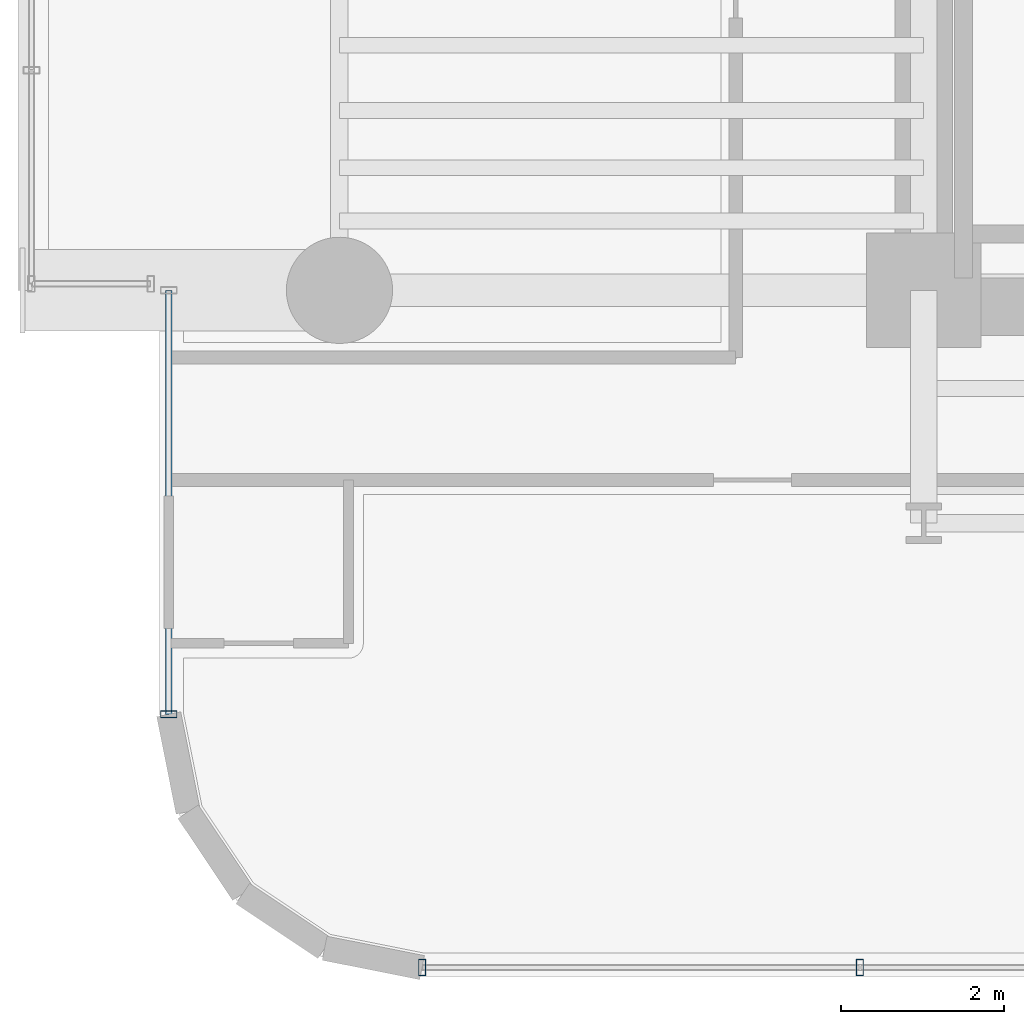
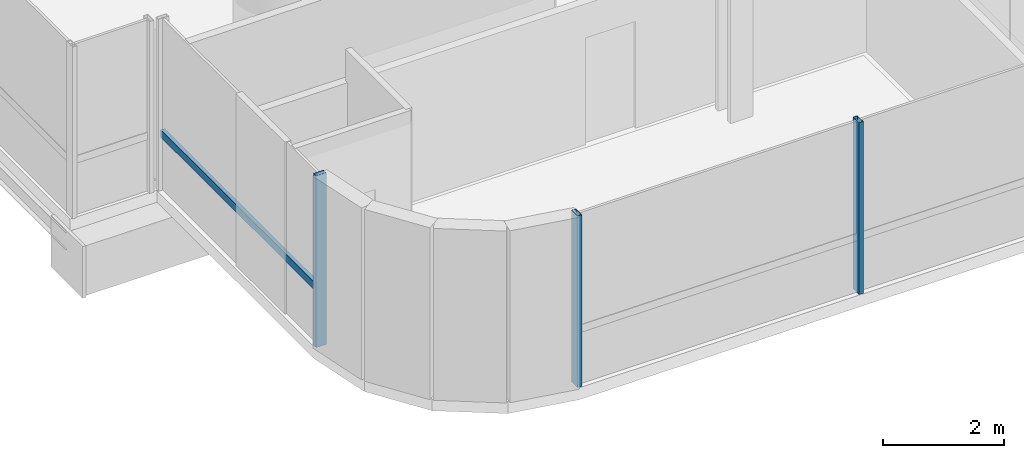
# One storey, part 2 of 40: 4 members, 2 elements without a shape of their own.
"""IFC4 building model written with IfcOpenShell, lengths in metres."""

from ifc_helpers import new_model, si_unit, direction, frame, origin, origin_2d, place, context, subcontext, project, spatial, hollow_rectangle, extrude, source, transform, mapped, material, material_profile, profile_set, type_object, element, aggregate, save


model = new_model("IFC4")

# Units and contexts
model_context = context("Model", 3, precision=1e-05, world=origin(), true_north=direction((0.0, 1.0)))
body_context = subcontext(model_context, "Body", "Model", "MODEL_VIEW")
ifc_project = project(units=[si_unit("LENGTHUNIT", "METRE"), si_unit("AREAUNIT", "SQUARE_METRE"), si_unit("VOLUMEUNIT", "CUBIC_METRE"), si_unit("PLANEANGLEUNIT", "RADIAN"), si_unit("MASSUNIT", "GRAM", prefix="KILO")], contexts=[model_context])

# Site, building, storey
site_placement = place(None, origin())
site = spatial("IfcSite", under=ifc_project, at=site_placement, CompositionType="ELEMENT")
building_placement = place(site_placement, origin())
building = spatial("IfcBuilding", under=site, at=building_placement, Name="Valdorenza Pilgrim Sanctuary Tower", CompositionType="ELEMENT")
storey_placement = place(building_placement, frame((0.0, 0.0, 66.699951171875)))
storey = spatial("IfcBuildingStorey", under=building, at=storey_placement, Name="L16", CompositionType="ELEMENT", Elevation=66.699951171875)

# Curtain wall, member
ifc_material_1 = material(Name="Curtain-wall IGU glazing", Category="glass")
curtain_wall_type = type_object("IfcCurtainWallType", Name="CW-SYS-02", PredefinedType="NOTDEFINED", material=ifc_material_1)
curtain_wall_1_placement = place(storey_placement, origin())
curtain_wall_1 = element("IfcCurtainWall", 1, at=curtain_wall_1_placement, inside=storey, type_object=curtain_wall_type, Name="L16 Curtain Wall CW-L16-1-1S1", PredefinedType="NOTDEFINED")
ifc_material_2 = material(Name="Anodised aluminium AW-6060", Category="aluminium")
ifc_material_profile_1 = material_profile(ifc_material_2, hollow_rectangle(XDim=0.0849609375, YDim=0.199951171875, WallThickness=0.0048828125, at=origin_2d()), Name="ALU-M 200x85x5")
ifc_profile_set_1 = profile_set([ifc_material_profile_1], Name="Anodised aluminium AW-6060")
member_type_1 = type_object("IfcMemberType", Name="CW-MUL-02", PredefinedType="MULLION", material=ifc_profile_set_1)
shared_shape_1 = source(origin(), body_context, "Body", "SweptSolid", [
    extrude(hollow_rectangle(XDim=0.0849609375, YDim=0.199951171875, WallThickness=0.0048828125, at=origin_2d()), origin(), (0.0, 0.0, 1.0), 3.4599609375),
])
member_1_placement = place(storey_placement, frame((-31.889892578125, -15.789306640625, 0.0), z_axis=(0.0, 0.0, 1.0), x_axis=(0.0, 1.0, 0.0)))
member_1 = element("IfcMember", 2, at=member_1_placement, type_object=member_type_1, Name="CW-L16-1-1S1 Mullion 1", PredefinedType="MULLION", context=body_context, shape_type="MappedRepresentation", body=[
    mapped(shared_shape_1, transform((0.0, 0.0, 0.0), x_axis=(1.0, 0.0, 0.0), y_axis=(0.0, 1.0, 0.0), z_axis=(0.0, 0.0, 1.0), scale=1.0)),
])

# Curtain wall, members
curtain_wall_2_placement = place(storey_placement, origin())
curtain_wall_2 = element("IfcCurtainWall", 3, at=curtain_wall_2_placement, inside=storey, type_object=curtain_wall_type, Name="L16 Curtain Wall CW-L16-1-46", PredefinedType="NOTDEFINED")
member_2_placement = place(storey_placement, frame((-23.4296875, -18.889892578125, 0.0), z_axis=(0.0, 0.0, 1.0), x_axis=(-1.0, 0.0, 0.0)))
member_2 = element("IfcMember", 4, at=member_2_placement, type_object=member_type_1, Name="CW-L16-1-46 Mullion 3", PredefinedType="MULLION", context=body_context, shape_type="MappedRepresentation", body=[
    mapped(shared_shape_1, transform((0.0, 0.0, 0.0), x_axis=(1.0, 0.0, 0.0), y_axis=(0.0, 1.0, 0.0), z_axis=(0.0, 0.0, 1.0), scale=1.0)),
])
member_3_placement = place(storey_placement, frame((-28.789306640625, -18.889892578125, 0.0), z_axis=(0.0, 0.0, 1.0), x_axis=(-1.0, 0.0, 0.0)))
member_3 = element("IfcMember", 5, at=member_3_placement, type_object=member_type_1, Name="CW-L16-1-46 Mullion 4", PredefinedType="MULLION", context=body_context, shape_type="MappedRepresentation", body=[
    mapped(shared_shape_1, transform((0.0, 0.0, 0.0), x_axis=(1.0, 0.0, 0.0), y_axis=(0.0, 1.0, 0.0), z_axis=(0.0, 0.0, 1.0), scale=1.0)),
])
aggregate(curtain_wall_2, [member_2, member_3])

# Member
ifc_material_profile_2 = material_profile(ifc_material_2, hollow_rectangle(XDim=0.074951171875, YDim=0.14990234375, WallThickness=0.00390625, at=origin_2d()), Name="ALU-T 150x75x4")
ifc_profile_set_2 = profile_set([ifc_material_profile_2], Name="Anodised aluminium AW-6060")
member_type_2 = type_object("IfcMemberType", Name="CW-TRN-02", PredefinedType="USERDEFINED", material=ifc_profile_set_2)
shared_shape_2 = source(origin(), body_context, "Body", "SweptSolid", [
    extrude(hollow_rectangle(XDim=0.074951171875, YDim=0.14990234375, WallThickness=0.00390625, at=origin_2d()), origin(), (0.0, 0.0, 1.0), 5.189208984375),
])
member_4_placement = place(storey_placement, frame((-31.889892578125, -15.789306640625, 1.1201171875), z_axis=(0.0, 1.0, 0.0), x_axis=(-1.0, 0.0, 0.0)))
member_4 = element("IfcMember", 6, at=member_4_placement, type_object=member_type_2, Name="CW-L16-1-1S1 Transom 1", ObjectType="TRANSOM", PredefinedType="USERDEFINED", context=body_context, shape_type="MappedRepresentation", body=[
    mapped(shared_shape_2, transform((0.0, 0.0, 0.0), x_axis=(1.0, 0.0, 0.0), y_axis=(0.0, 1.0, 0.0), z_axis=(0.0, 0.0, 1.0), scale=1.0)),
])

aggregate(curtain_wall_1, [member_1, member_4])

save(model, "model.ifc")
